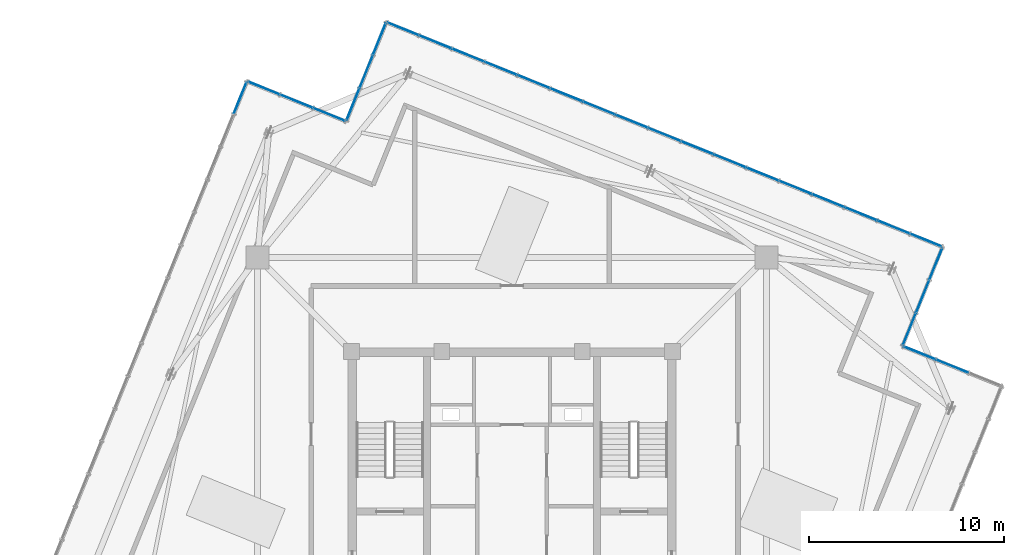
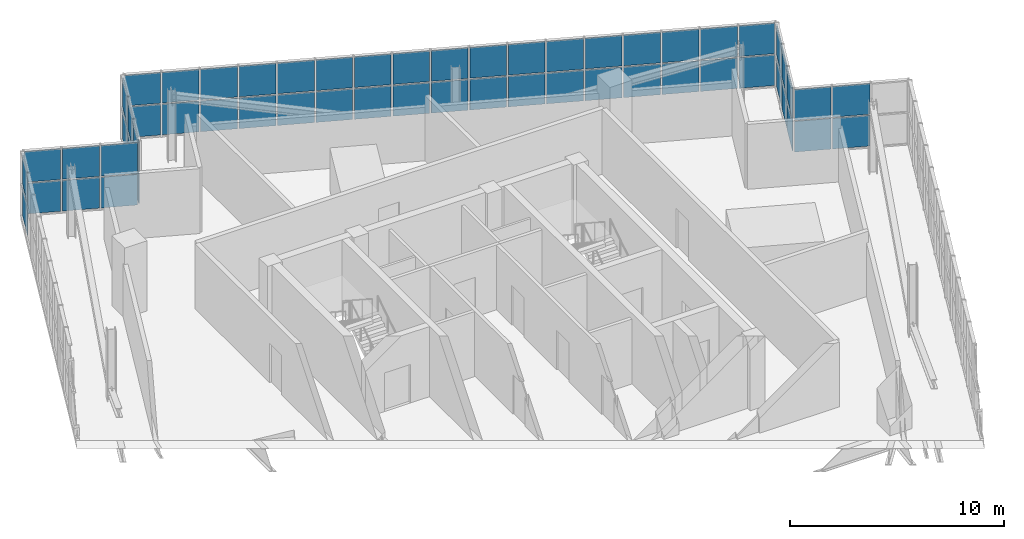
# One storey, part 20 of 26: 58 plates, 6 elements without a shape of their own.
"""IFC4 building model written with IfcOpenShell, lengths in metres."""

from ifc_helpers import new_model, si_unit, direction, frame, origin, origin_2d, place, context, subcontext, project, spatial, rectangle, extrude, source, transform, mapped, material, layer, layer_set, type_object, element, aggregate, save


model = new_model("IFC4")

# Units and contexts
model_context = context("Model", 3, precision=1e-05, world=origin(), true_north=direction((0.0, 1.0)))
body_context = subcontext(model_context, "Body", "Model", "MODEL_VIEW")
ifc_project = project(units=[si_unit("LENGTHUNIT", "METRE"), si_unit("AREAUNIT", "SQUARE_METRE"), si_unit("VOLUMEUNIT", "CUBIC_METRE"), si_unit("PLANEANGLEUNIT", "RADIAN"), si_unit("MASSUNIT", "GRAM", prefix="KILO"), si_unit("THERMODYNAMICTEMPERATUREUNIT", "KELVIN")], contexts=[model_context])

# Site, building, storey
site_placement = place(None, origin())
site = spatial("IfcSite", under=ifc_project, at=site_placement, CompositionType="ELEMENT")
building_placement = place(site_placement, origin())
building = spatial("IfcBuilding", under=site, at=building_placement, Name="Kosmvard Interchange Tower", CompositionType="ELEMENT")
storey_placement = place(building_placement, frame((0.0, 0.0, 333.60009765625)))
storey = spatial("IfcBuildingStorey", under=building, at=storey_placement, Name="L82", CompositionType="ELEMENT", Elevation=333.60009765625)

# Curtain wall, plates
ifc_material_1 = material(Name="Architectural anodised aluminium", Category="aluminium")
ifc_layer_1 = layer(ifc_material_1, 0.25, Name="Architectural anodised aluminium")
ifc_layer_set_1 = layer_set([ifc_layer_1], Name="Architectural anodised aluminium")
curtain_wall_type = type_object("IfcCurtainWallType", Name="CW-6 Illuminated Crown Lantern Curtain Wall", PredefinedType="NOTDEFINED", material=ifc_layer_set_1)
curtain_wall_1_placement = place(storey_placement, origin())
curtain_wall_1 = element("IfcCurtainWall", 1, at=curtain_wall_1_placement, inside=storey, type_object=curtain_wall_type, Name="L82 Crown Lantern Glazing Face 04", PredefinedType="NOTDEFINED")
ifc_material_2 = material(Name="Laminated acoustic lantern glazing", Category="glass")
ifc_layer_2 = layer(ifc_material_2, 0.035888671875, Name="Laminated acoustic lantern glazing")
ifc_layer_set_2 = layer_set([ifc_layer_2], Name="Laminated acoustic lantern glazing")
plate_type = type_object("IfcPlateType", Name="Lantern Diffused Illuminated Panel 36", PredefinedType="CURTAIN_PANEL", material=ifc_layer_set_2)
shared_shape_1 = source(origin(), body_context, "Body", "SweptSolid", [
    extrude(rectangle(XDim=1.694091796875, YDim=0.035888671875, at=origin_2d()), origin(), (0.0, 0.0, 1.0), 1.7451171875),
])
plate_1_placement = place(storey_placement, frame((21.2744140625, 13.967529296875, 0.06982421875), z_axis=(0.0, 0.0, 1.0), x_axis=(-0.927183858065, 0.374606584758, 0.0)))
plate_1 = element("IfcPlate", 2, at=plate_1_placement, type_object=plate_type, Name="CW-6 panel 1.1", PredefinedType="CURTAIN_PANEL", context=body_context, shape_type="MappedRepresentation", body=[
    mapped(shared_shape_1, transform((0.0, 0.0, 0.0), scale=1.0)),
])
plate_2_placement = place(storey_placement, frame((21.2744140625, 13.967529296875, 1.884765625), z_axis=(0.0, 0.0, 1.0), x_axis=(-0.927183858065, 0.374606584758, 0.0)))
plate_2 = element("IfcPlate", 3, at=plate_2_placement, type_object=plate_type, Name="CW-6 panel 1.2", PredefinedType="CURTAIN_PANEL", context=body_context, shape_type="MappedRepresentation", body=[
    mapped(shared_shape_1, transform((0.0, 0.0, 0.0), scale=1.0)),
])
plate_3_placement = place(storey_placement, frame((-5.600830078125, 24.825927734375, 0.06982421875), z_axis=(0.0, 0.0, 1.0), x_axis=(-0.927183858065, 0.374606584758, 0.0)))
plate_3 = element("IfcPlate", 4, at=plate_3_placement, type_object=plate_type, Name="CW-6 panel 17.1", PredefinedType="CURTAIN_PANEL", context=body_context, shape_type="MappedRepresentation", body=[
    mapped(shared_shape_1, transform((0.0, 0.0, 0.0), scale=1.0)),
])
plate_4_placement = place(storey_placement, frame((-5.600830078125, 24.825927734375, 1.884765625), z_axis=(0.0, 0.0, 1.0), x_axis=(-0.927183858065, 0.374606584758, 0.0)))
plate_4 = element("IfcPlate", 5, at=plate_4_placement, type_object=plate_type, Name="CW-6 panel 17.2", PredefinedType="CURTAIN_PANEL", context=body_context, shape_type="MappedRepresentation", body=[
    mapped(shared_shape_1, transform((0.0, 0.0, 0.0), scale=1.0)),
])

curtain_wall_2_placement = place(storey_placement, origin())
curtain_wall_2 = element("IfcCurtainWall", 6, at=curtain_wall_2_placement, inside=storey, type_object=curtain_wall_type, Name="L82 Crown Lantern Glazing Face 07", PredefinedType="NOTDEFINED")
plate_5_placement = place(storey_placement, frame((-13.967529296875, 21.2744140625, 0.06982421875), z_axis=(0.0, 0.0, 1.0), x_axis=(-0.374606584758, -0.927183858065, 0.0)))
plate_5 = element("IfcPlate", 7, at=plate_5_placement, type_object=plate_type, Name="CW-6 panel 1.1", PredefinedType="CURTAIN_PANEL", context=body_context, shape_type="MappedRepresentation", body=[
    mapped(shared_shape_1, transform((0.0, 0.0, 0.0), scale=1.0)),
])
plate_6_placement = place(storey_placement, frame((-13.967529296875, 21.2744140625, 1.884765625), z_axis=(0.0, 0.0, 1.0), x_axis=(-0.374606584758, -0.927183858065, 0.0)))
plate_6 = element("IfcPlate", 8, at=plate_6_placement, type_object=plate_type, Name="CW-6 panel 1.2", PredefinedType="CURTAIN_PANEL", context=body_context, shape_type="MappedRepresentation", body=[
    mapped(shared_shape_1, transform((0.0, 0.0, 0.0), scale=1.0)),
])
aggregate(curtain_wall_2, [plate_5, plate_6])

# Plate
shared_shape_2 = source(origin(), body_context, "Body", "SweptSolid", [
    extrude(rectangle(XDim=1.734130859375, YDim=0.035888671875, at=origin_2d()), origin(), (0.0, 0.0, 1.0), 1.7451171875),
])
plate_7_placement = place(storey_placement, frame((19.61083984375, 14.6396484375, 0.06982421875), z_axis=(0.0, 0.0, 1.0), x_axis=(-0.927183858065, 0.374606584758, 0.0)))
plate_7 = element("IfcPlate", 9, at=plate_7_placement, type_object=plate_type, Name="CW-6 panel 2.1", PredefinedType="CURTAIN_PANEL", context=body_context, shape_type="MappedRepresentation", body=[
    mapped(shared_shape_2, transform((0.0, 0.0, 0.0), scale=1.0)),
])

plate_8_placement = place(storey_placement, frame((19.61083984375, 14.6396484375, 1.884765625), z_axis=(0.0, 0.0, 1.0), x_axis=(-0.927183858065, 0.374606584758, 0.0)))
plate_8 = element("IfcPlate", 10, at=plate_8_placement, type_object=plate_type, Name="CW-6 panel 2.2", PredefinedType="CURTAIN_PANEL", context=body_context, shape_type="MappedRepresentation", body=[
    mapped(shared_shape_2, transform((0.0, 0.0, 0.0), scale=1.0)),
])

plate_9_placement = place(storey_placement, frame((17.928955078125, 15.319091796875, 0.06982421875), z_axis=(0.0, 0.0, 1.0), x_axis=(-0.927183858065, 0.374606584758, 0.0)))
plate_9 = element("IfcPlate", 11, at=plate_9_placement, type_object=plate_type, Name="CW-6 panel 3.1", PredefinedType="CURTAIN_PANEL", context=body_context, shape_type="MappedRepresentation", body=[
    mapped(shared_shape_2, transform((0.0, 0.0, 0.0), scale=1.0)),
])

plate_10_placement = place(storey_placement, frame((17.928955078125, 15.319091796875, 1.884765625), z_axis=(0.0, 0.0, 1.0), x_axis=(-0.927183858065, 0.374606584758, 0.0)))
plate_10 = element("IfcPlate", 12, at=plate_10_placement, type_object=plate_type, Name="CW-6 panel 3.2", PredefinedType="CURTAIN_PANEL", context=body_context, shape_type="MappedRepresentation", body=[
    mapped(shared_shape_2, transform((0.0, 0.0, 0.0), scale=1.0)),
])

plate_11_placement = place(storey_placement, frame((16.246826171875, 15.998779296875, 0.06982421875), z_axis=(0.0, 0.0, 1.0), x_axis=(-0.927183858065, 0.374606584758, 0.0)))
plate_11 = element("IfcPlate", 13, at=plate_11_placement, type_object=plate_type, Name="CW-6 panel 4.1", PredefinedType="CURTAIN_PANEL", context=body_context, shape_type="MappedRepresentation", body=[
    mapped(shared_shape_2, transform((0.0, 0.0, 0.0), scale=1.0)),
])

plate_12_placement = place(storey_placement, frame((16.246826171875, 15.998779296875, 1.884765625), z_axis=(0.0, 0.0, 1.0), x_axis=(-0.927183858065, 0.374606584758, 0.0)))
plate_12 = element("IfcPlate", 14, at=plate_12_placement, type_object=plate_type, Name="CW-6 panel 4.2", PredefinedType="CURTAIN_PANEL", context=body_context, shape_type="MappedRepresentation", body=[
    mapped(shared_shape_2, transform((0.0, 0.0, 0.0), scale=1.0)),
])

plate_13_placement = place(storey_placement, frame((14.56494140625, 16.678466796875, 0.06982421875), z_axis=(0.0, 0.0, 1.0), x_axis=(-0.927183858065, 0.374606584758, 0.0)))
plate_13 = element("IfcPlate", 15, at=plate_13_placement, type_object=plate_type, Name="CW-6 panel 5.1", PredefinedType="CURTAIN_PANEL", context=body_context, shape_type="MappedRepresentation", body=[
    mapped(shared_shape_2, transform((0.0, 0.0, 0.0), scale=1.0)),
])

plate_14_placement = place(storey_placement, frame((14.56494140625, 16.678466796875, 1.884765625), z_axis=(0.0, 0.0, 1.0), x_axis=(-0.927183858065, 0.374606584758, 0.0)))
plate_14 = element("IfcPlate", 16, at=plate_14_placement, type_object=plate_type, Name="CW-6 panel 5.2", PredefinedType="CURTAIN_PANEL", context=body_context, shape_type="MappedRepresentation", body=[
    mapped(shared_shape_2, transform((0.0, 0.0, 0.0), scale=1.0)),
])

plate_15_placement = place(storey_placement, frame((12.8828125, 17.35791015625, 0.06982421875), z_axis=(0.0, 0.0, 1.0), x_axis=(-0.927183858065, 0.374606584758, 0.0)))
plate_15 = element("IfcPlate", 17, at=plate_15_placement, type_object=plate_type, Name="CW-6 panel 6.1", PredefinedType="CURTAIN_PANEL", context=body_context, shape_type="MappedRepresentation", body=[
    mapped(shared_shape_2, transform((0.0, 0.0, 0.0), scale=1.0)),
])

plate_16_placement = place(storey_placement, frame((12.8828125, 17.35791015625, 1.884765625), z_axis=(0.0, 0.0, 1.0), x_axis=(-0.927183858065, 0.374606584758, 0.0)))
plate_16 = element("IfcPlate", 18, at=plate_16_placement, type_object=plate_type, Name="CW-6 panel 6.2", PredefinedType="CURTAIN_PANEL", context=body_context, shape_type="MappedRepresentation", body=[
    mapped(shared_shape_2, transform((0.0, 0.0, 0.0), scale=1.0)),
])

plate_17_placement = place(storey_placement, frame((11.200927734375, 18.03759765625, 0.06982421875), z_axis=(0.0, 0.0, 1.0), x_axis=(-0.927183858065, 0.374606584758, 0.0)))
plate_17 = element("IfcPlate", 19, at=plate_17_placement, type_object=plate_type, Name="CW-6 panel 7.1", PredefinedType="CURTAIN_PANEL", context=body_context, shape_type="MappedRepresentation", body=[
    mapped(shared_shape_2, transform((0.0, 0.0, 0.0), scale=1.0)),
])

plate_18_placement = place(storey_placement, frame((11.200927734375, 18.03759765625, 1.884765625), z_axis=(0.0, 0.0, 1.0), x_axis=(-0.927183858065, 0.374606584758, 0.0)))
plate_18 = element("IfcPlate", 20, at=plate_18_placement, type_object=plate_type, Name="CW-6 panel 7.2", PredefinedType="CURTAIN_PANEL", context=body_context, shape_type="MappedRepresentation", body=[
    mapped(shared_shape_2, transform((0.0, 0.0, 0.0), scale=1.0)),
])

plate_19_placement = place(storey_placement, frame((9.518798828125, 18.717041015625, 0.06982421875), z_axis=(0.0, 0.0, 1.0), x_axis=(-0.927183858065, 0.374606584758, 0.0)))
plate_19 = element("IfcPlate", 21, at=plate_19_placement, type_object=plate_type, Name="CW-6 panel 8.1", PredefinedType="CURTAIN_PANEL", context=body_context, shape_type="MappedRepresentation", body=[
    mapped(shared_shape_2, transform((0.0, 0.0, 0.0), scale=1.0)),
])

plate_20_placement = place(storey_placement, frame((9.518798828125, 18.717041015625, 1.884765625), z_axis=(0.0, 0.0, 1.0), x_axis=(-0.927183858065, 0.374606584758, 0.0)))
plate_20 = element("IfcPlate", 22, at=plate_20_placement, type_object=plate_type, Name="CW-6 panel 8.2", PredefinedType="CURTAIN_PANEL", context=body_context, shape_type="MappedRepresentation", body=[
    mapped(shared_shape_2, transform((0.0, 0.0, 0.0), scale=1.0)),
])

plate_21_placement = place(storey_placement, frame((7.836669921875, 19.396728515625, 0.06982421875), z_axis=(0.0, 0.0, 1.0), x_axis=(-0.927183858065, 0.374606584758, 0.0)))
plate_21 = element("IfcPlate", 23, at=plate_21_placement, type_object=plate_type, Name="CW-6 panel 9.1", PredefinedType="CURTAIN_PANEL", context=body_context, shape_type="MappedRepresentation", body=[
    mapped(shared_shape_2, transform((0.0, 0.0, 0.0), scale=1.0)),
])

plate_22_placement = place(storey_placement, frame((7.836669921875, 19.396728515625, 1.884765625), z_axis=(0.0, 0.0, 1.0), x_axis=(-0.927183858065, 0.374606584758, 0.0)))
plate_22 = element("IfcPlate", 24, at=plate_22_placement, type_object=plate_type, Name="CW-6 panel 9.2", PredefinedType="CURTAIN_PANEL", context=body_context, shape_type="MappedRepresentation", body=[
    mapped(shared_shape_2, transform((0.0, 0.0, 0.0), scale=1.0)),
])

plate_23_placement = place(storey_placement, frame((6.15478515625, 20.076171875, 0.06982421875), z_axis=(0.0, 0.0, 1.0), x_axis=(-0.927183858065, 0.374606584758, 0.0)))
plate_23 = element("IfcPlate", 25, at=plate_23_placement, type_object=plate_type, Name="CW-6 panel 10.1", PredefinedType="CURTAIN_PANEL", context=body_context, shape_type="MappedRepresentation", body=[
    mapped(shared_shape_2, transform((0.0, 0.0, 0.0), scale=1.0)),
])

plate_24_placement = place(storey_placement, frame((6.15478515625, 20.076171875, 1.884765625), z_axis=(0.0, 0.0, 1.0), x_axis=(-0.927183858065, 0.374606584758, 0.0)))
plate_24 = element("IfcPlate", 26, at=plate_24_placement, type_object=plate_type, Name="CW-6 panel 10.2", PredefinedType="CURTAIN_PANEL", context=body_context, shape_type="MappedRepresentation", body=[
    mapped(shared_shape_2, transform((0.0, 0.0, 0.0), scale=1.0)),
])

plate_25_placement = place(storey_placement, frame((4.47265625, 20.755859375, 0.06982421875), z_axis=(0.0, 0.0, 1.0), x_axis=(-0.927183858065, 0.374606584758, 0.0)))
plate_25 = element("IfcPlate", 27, at=plate_25_placement, type_object=plate_type, Name="CW-6 panel 11.1", PredefinedType="CURTAIN_PANEL", context=body_context, shape_type="MappedRepresentation", body=[
    mapped(shared_shape_2, transform((0.0, 0.0, 0.0), scale=1.0)),
])

plate_26_placement = place(storey_placement, frame((4.47265625, 20.755859375, 1.884765625), z_axis=(0.0, 0.0, 1.0), x_axis=(-0.927183858065, 0.374606584758, 0.0)))
plate_26 = element("IfcPlate", 28, at=plate_26_placement, type_object=plate_type, Name="CW-6 panel 11.2", PredefinedType="CURTAIN_PANEL", context=body_context, shape_type="MappedRepresentation", body=[
    mapped(shared_shape_2, transform((0.0, 0.0, 0.0), scale=1.0)),
])

plate_27_placement = place(storey_placement, frame((2.790771484375, 21.435546875, 0.06982421875), z_axis=(0.0, 0.0, 1.0), x_axis=(-0.927183858065, 0.374606584758, 0.0)))
plate_27 = element("IfcPlate", 29, at=plate_27_placement, type_object=plate_type, Name="CW-6 panel 12.1", PredefinedType="CURTAIN_PANEL", context=body_context, shape_type="MappedRepresentation", body=[
    mapped(shared_shape_2, transform((0.0, 0.0, 0.0), scale=1.0)),
])

plate_28_placement = place(storey_placement, frame((2.790771484375, 21.435546875, 1.884765625), z_axis=(0.0, 0.0, 1.0), x_axis=(-0.927183858065, 0.374606584758, 0.0)))
plate_28 = element("IfcPlate", 30, at=plate_28_placement, type_object=plate_type, Name="CW-6 panel 12.2", PredefinedType="CURTAIN_PANEL", context=body_context, shape_type="MappedRepresentation", body=[
    mapped(shared_shape_2, transform((0.0, 0.0, 0.0), scale=1.0)),
])

plate_29_placement = place(storey_placement, frame((1.108642578125, 22.114990234375, 0.06982421875), z_axis=(0.0, 0.0, 1.0), x_axis=(-0.927183858065, 0.374606584758, 0.0)))
plate_29 = element("IfcPlate", 31, at=plate_29_placement, type_object=plate_type, Name="CW-6 panel 13.1", PredefinedType="CURTAIN_PANEL", context=body_context, shape_type="MappedRepresentation", body=[
    mapped(shared_shape_2, transform((0.0, 0.0, 0.0), scale=1.0)),
])

plate_30_placement = place(storey_placement, frame((1.108642578125, 22.114990234375, 1.884765625), z_axis=(0.0, 0.0, 1.0), x_axis=(-0.927183858065, 0.374606584758, 0.0)))
plate_30 = element("IfcPlate", 32, at=plate_30_placement, type_object=plate_type, Name="CW-6 panel 13.2", PredefinedType="CURTAIN_PANEL", context=body_context, shape_type="MappedRepresentation", body=[
    mapped(shared_shape_2, transform((0.0, 0.0, 0.0), scale=1.0)),
])

plate_31_placement = place(storey_placement, frame((-0.5732421875, 22.794677734375, 0.06982421875), z_axis=(0.0, 0.0, 1.0), x_axis=(-0.927183858065, 0.374606584758, 0.0)))
plate_31 = element("IfcPlate", 33, at=plate_31_placement, type_object=plate_type, Name="CW-6 panel 14.1", PredefinedType="CURTAIN_PANEL", context=body_context, shape_type="MappedRepresentation", body=[
    mapped(shared_shape_2, transform((0.0, 0.0, 0.0), scale=1.0)),
])

plate_32_placement = place(storey_placement, frame((-0.5732421875, 22.794677734375, 1.884765625), z_axis=(0.0, 0.0, 1.0), x_axis=(-0.927183858065, 0.374606584758, 0.0)))
plate_32 = element("IfcPlate", 34, at=plate_32_placement, type_object=plate_type, Name="CW-6 panel 14.2", PredefinedType="CURTAIN_PANEL", context=body_context, shape_type="MappedRepresentation", body=[
    mapped(shared_shape_2, transform((0.0, 0.0, 0.0), scale=1.0)),
])

plate_33_placement = place(storey_placement, frame((-2.25537109375, 23.47412109375, 0.06982421875), z_axis=(0.0, 0.0, 1.0), x_axis=(-0.927183858065, 0.374606584758, 0.0)))
plate_33 = element("IfcPlate", 35, at=plate_33_placement, type_object=plate_type, Name="CW-6 panel 15.1", PredefinedType="CURTAIN_PANEL", context=body_context, shape_type="MappedRepresentation", body=[
    mapped(shared_shape_2, transform((0.0, 0.0, 0.0), scale=1.0)),
])

plate_34_placement = place(storey_placement, frame((-2.25537109375, 23.47412109375, 1.884765625), z_axis=(0.0, 0.0, 1.0), x_axis=(-0.927183858065, 0.374606584758, 0.0)))
plate_34 = element("IfcPlate", 36, at=plate_34_placement, type_object=plate_type, Name="CW-6 panel 15.2", PredefinedType="CURTAIN_PANEL", context=body_context, shape_type="MappedRepresentation", body=[
    mapped(shared_shape_2, transform((0.0, 0.0, 0.0), scale=1.0)),
])

plate_35_placement = place(storey_placement, frame((-3.937255859375, 24.15380859375, 0.06982421875), z_axis=(0.0, 0.0, 1.0), x_axis=(-0.927183858065, 0.374606584758, 0.0)))
plate_35 = element("IfcPlate", 37, at=plate_35_placement, type_object=plate_type, Name="CW-6 panel 16.1", PredefinedType="CURTAIN_PANEL", context=body_context, shape_type="MappedRepresentation", body=[
    mapped(shared_shape_2, transform((0.0, 0.0, 0.0), scale=1.0)),
])

plate_36_placement = place(storey_placement, frame((-3.937255859375, 24.15380859375, 1.884765625), z_axis=(0.0, 0.0, 1.0), x_axis=(-0.927183858065, 0.374606584758, 0.0)))
plate_36 = element("IfcPlate", 38, at=plate_36_placement, type_object=plate_type, Name="CW-6 panel 16.2", PredefinedType="CURTAIN_PANEL", context=body_context, shape_type="MappedRepresentation", body=[
    mapped(shared_shape_2, transform((0.0, 0.0, 0.0), scale=1.0)),
])

aggregate(curtain_wall_1, [plate_1, plate_2, plate_7, plate_8, plate_9, plate_10, plate_11, plate_12, plate_13, plate_14, plate_15, plate_16, plate_17, plate_18, plate_19, plate_20, plate_21, plate_22, plate_23, plate_24, plate_25, plate_26, plate_27, plate_28, plate_29, plate_30, plate_31, plate_32, plate_33, plate_34, plate_35, plate_36, plate_3, plate_4])

# Curtain wall, plates
curtain_wall_3_placement = place(storey_placement, origin())
curtain_wall_3 = element("IfcCurtainWall", 39, at=curtain_wall_3_placement, inside=storey, type_object=curtain_wall_type, Name="L82 Crown Lantern Glazing Face 02", PredefinedType="NOTDEFINED")
shared_shape_3 = source(origin(), body_context, "Body", "SweptSolid", [
    extrude(rectangle(XDim=1.71337890625, YDim=0.035888671875, at=origin_2d()), origin(), (0.0, 0.0, 1.0), 1.7451171875),
])
plate_37_placement = place(storey_placement, frame((20.942138671875, 8.169921875, 0.06982421875), z_axis=(0.0, 0.0, 1.0), x_axis=(-0.92718386612, 0.374606564822, 0.0)))
plate_37 = element("IfcPlate", 40, at=plate_37_placement, type_object=plate_type, Name="CW-6 panel 3.1", PredefinedType="CURTAIN_PANEL", context=body_context, shape_type="MappedRepresentation", body=[
    mapped(shared_shape_3, transform((0.0, 0.0, 0.0), scale=1.0)),
])
plate_38_placement = place(storey_placement, frame((20.942138671875, 8.169921875, 1.884765625), z_axis=(0.0, 0.0, 1.0), x_axis=(-0.92718386612, 0.374606564822, 0.0)))
plate_38 = element("IfcPlate", 41, at=plate_38_placement, type_object=plate_type, Name="CW-6 panel 3.2", PredefinedType="CURTAIN_PANEL", context=body_context, shape_type="MappedRepresentation", body=[
    mapped(shared_shape_3, transform((0.0, 0.0, 0.0), scale=1.0)),
])

curtain_wall_4_placement = place(storey_placement, origin())
curtain_wall_4 = element("IfcCurtainWall", 42, at=curtain_wall_4_placement, inside=storey, type_object=curtain_wall_type, Name="L82 Crown Lantern Glazing Face 03", PredefinedType="NOTDEFINED")
plate_39_placement = place(storey_placement, frame((20.424560546875, 9.38916015625, 0.06982421875), z_axis=(0.0, 0.0, 1.0), x_axis=(0.374606501678, 0.927183891631, 0.0)))
plate_39 = element("IfcPlate", 43, at=plate_39_placement, type_object=plate_type, Name="CW-6 panel 1.1", PredefinedType="CURTAIN_PANEL", context=body_context, shape_type="MappedRepresentation", body=[
    mapped(shared_shape_3, transform((0.0, 0.0, 0.0), scale=1.0)),
])
plate_40_placement = place(storey_placement, frame((20.424560546875, 9.38916015625, 1.884765625), z_axis=(0.0, 0.0, 1.0), x_axis=(0.374606501678, 0.927183891631, 0.0)))
plate_40 = element("IfcPlate", 44, at=plate_40_placement, type_object=plate_type, Name="CW-6 panel 1.2", PredefinedType="CURTAIN_PANEL", context=body_context, shape_type="MappedRepresentation", body=[
    mapped(shared_shape_3, transform((0.0, 0.0, 0.0), scale=1.0)),
])
plate_41_placement = place(storey_placement, frame((21.782958984375, 12.751708984375, 0.06982421875), z_axis=(0.0, 0.0, 1.0), x_axis=(0.374606501678, 0.927183891631, 0.0)))
plate_41 = element("IfcPlate", 45, at=plate_41_placement, type_object=plate_type, Name="CW-6 panel 3.1", PredefinedType="CURTAIN_PANEL", context=body_context, shape_type="MappedRepresentation", body=[
    mapped(shared_shape_3, transform((0.0, 0.0, 0.0), scale=1.0)),
])
plate_42_placement = place(storey_placement, frame((21.782958984375, 12.751708984375, 1.884765625), z_axis=(0.0, 0.0, 1.0), x_axis=(0.374606501678, 0.927183891631, 0.0)))
plate_42 = element("IfcPlate", 46, at=plate_42_placement, type_object=plate_type, Name="CW-6 panel 3.2", PredefinedType="CURTAIN_PANEL", context=body_context, shape_type="MappedRepresentation", body=[
    mapped(shared_shape_3, transform((0.0, 0.0, 0.0), scale=1.0)),
])

curtain_wall_5_placement = place(storey_placement, origin())
curtain_wall_5 = element("IfcCurtainWall", 47, at=curtain_wall_5_placement, inside=storey, type_object=curtain_wall_type, Name="L82 Crown Lantern Glazing Face 05", PredefinedType="NOTDEFINED")
plate_43_placement = place(storey_placement, frame((-6.811279296875, 24.3046875, 0.06982421875), z_axis=(0.0, 0.0, 1.0), x_axis=(-0.374606564822, -0.92718386612, 0.0)))
plate_43 = element("IfcPlate", 48, at=plate_43_placement, type_object=plate_type, Name="CW-6 panel 1.1", PredefinedType="CURTAIN_PANEL", context=body_context, shape_type="MappedRepresentation", body=[
    mapped(shared_shape_3, transform((0.0, 0.0, 0.0), scale=1.0)),
])
plate_44_placement = place(storey_placement, frame((-6.811279296875, 24.3046875, 1.884765625), z_axis=(0.0, 0.0, 1.0), x_axis=(-0.374606564822, -0.92718386612, 0.0)))
plate_44 = element("IfcPlate", 49, at=plate_44_placement, type_object=plate_type, Name="CW-6 panel 1.2", PredefinedType="CURTAIN_PANEL", context=body_context, shape_type="MappedRepresentation", body=[
    mapped(shared_shape_3, transform((0.0, 0.0, 0.0), scale=1.0)),
])
plate_45_placement = place(storey_placement, frame((-8.169921875, 20.942138671875, 0.06982421875), z_axis=(0.0, 0.0, 1.0), x_axis=(-0.374606564822, -0.92718386612, 0.0)))
plate_45 = element("IfcPlate", 50, at=plate_45_placement, type_object=plate_type, Name="CW-6 panel 3.1", PredefinedType="CURTAIN_PANEL", context=body_context, shape_type="MappedRepresentation", body=[
    mapped(shared_shape_3, transform((0.0, 0.0, 0.0), scale=1.0)),
])
plate_46_placement = place(storey_placement, frame((-8.169921875, 20.942138671875, 1.884765625), z_axis=(0.0, 0.0, 1.0), x_axis=(-0.374606564822, -0.92718386612, 0.0)))
plate_46 = element("IfcPlate", 51, at=plate_46_placement, type_object=plate_type, Name="CW-6 panel 3.2", PredefinedType="CURTAIN_PANEL", context=body_context, shape_type="MappedRepresentation", body=[
    mapped(shared_shape_3, transform((0.0, 0.0, 0.0), scale=1.0)),
])

curtain_wall_6_placement = place(storey_placement, origin())
curtain_wall_6 = element("IfcCurtainWall", 52, at=curtain_wall_6_placement, inside=storey, type_object=curtain_wall_type, Name="L82 Crown Lantern Glazing Face 06", PredefinedType="NOTDEFINED")
plate_47_placement = place(storey_placement, frame((-9.38916015625, 20.424560546875, 0.06982421875), z_axis=(0.0, 0.0, 1.0), x_axis=(-0.927183891631, 0.374606501678, 0.0)))
plate_47 = element("IfcPlate", 53, at=plate_47_placement, type_object=plate_type, Name="CW-6 panel 1.1", PredefinedType="CURTAIN_PANEL", context=body_context, shape_type="MappedRepresentation", body=[
    mapped(shared_shape_3, transform((0.0, 0.0, 0.0), scale=1.0)),
])
plate_48_placement = place(storey_placement, frame((-9.38916015625, 20.424560546875, 1.884765625), z_axis=(0.0, 0.0, 1.0), x_axis=(-0.927183891631, 0.374606501678, 0.0)))
plate_48 = element("IfcPlate", 54, at=plate_48_placement, type_object=plate_type, Name="CW-6 panel 1.2", PredefinedType="CURTAIN_PANEL", context=body_context, shape_type="MappedRepresentation", body=[
    mapped(shared_shape_3, transform((0.0, 0.0, 0.0), scale=1.0)),
])
plate_49_placement = place(storey_placement, frame((-12.751708984375, 21.782958984375, 0.06982421875), z_axis=(0.0, 0.0, 1.0), x_axis=(-0.927183891631, 0.374606501678, 0.0)))
plate_49 = element("IfcPlate", 55, at=plate_49_placement, type_object=plate_type, Name="CW-6 panel 3.1", PredefinedType="CURTAIN_PANEL", context=body_context, shape_type="MappedRepresentation", body=[
    mapped(shared_shape_3, transform((0.0, 0.0, 0.0), scale=1.0)),
])
plate_50_placement = place(storey_placement, frame((-12.751708984375, 21.782958984375, 1.884765625), z_axis=(0.0, 0.0, 1.0), x_axis=(-0.927183891631, 0.374606501678, 0.0)))
plate_50 = element("IfcPlate", 56, at=plate_50_placement, type_object=plate_type, Name="CW-6 panel 3.2", PredefinedType="CURTAIN_PANEL", context=body_context, shape_type="MappedRepresentation", body=[
    mapped(shared_shape_3, transform((0.0, 0.0, 0.0), scale=1.0)),
])

# Plate
shared_shape_4 = source(origin(), body_context, "Body", "SweptSolid", [
    extrude(rectangle(XDim=1.75341796875, YDim=0.035888671875, at=origin_2d()), origin(), (0.0, 0.0, 1.0), 1.7451171875),
])
plate_51_placement = place(storey_placement, frame((22.623291015625, 7.490478515625, 0.06982421875), z_axis=(0.0, 0.0, 1.0), x_axis=(-0.92718386612, 0.374606564822, 0.0)))
plate_51 = element("IfcPlate", 57, at=plate_51_placement, type_object=plate_type, Name="CW-6 panel 2.1", PredefinedType="CURTAIN_PANEL", context=body_context, shape_type="MappedRepresentation", body=[
    mapped(shared_shape_4, transform((0.0, 0.0, 0.0), scale=1.0)),
])

plate_52_placement = place(storey_placement, frame((22.623291015625, 7.490478515625, 1.884765625), z_axis=(0.0, 0.0, 1.0), x_axis=(-0.92718386612, 0.374606564822, 0.0)))
plate_52 = element("IfcPlate", 58, at=plate_52_placement, type_object=plate_type, Name="CW-6 panel 2.2", PredefinedType="CURTAIN_PANEL", context=body_context, shape_type="MappedRepresentation", body=[
    mapped(shared_shape_4, transform((0.0, 0.0, 0.0), scale=1.0)),
])

aggregate(curtain_wall_3, [plate_51, plate_52, plate_37, plate_38])

plate_53_placement = place(storey_placement, frame((21.103759765625, 11.070556640625, 0.06982421875), z_axis=(0.0, 0.0, 1.0), x_axis=(0.374606501678, 0.927183891631, 0.0)))
plate_53 = element("IfcPlate", 59, at=plate_53_placement, type_object=plate_type, Name="CW-6 panel 2.1", PredefinedType="CURTAIN_PANEL", context=body_context, shape_type="MappedRepresentation", body=[
    mapped(shared_shape_4, transform((0.0, 0.0, 0.0), scale=1.0)),
])

plate_54_placement = place(storey_placement, frame((21.103759765625, 11.070556640625, 1.884765625), z_axis=(0.0, 0.0, 1.0), x_axis=(0.374606501678, 0.927183891631, 0.0)))
plate_54 = element("IfcPlate", 60, at=plate_54_placement, type_object=plate_type, Name="CW-6 panel 2.2", PredefinedType="CURTAIN_PANEL", context=body_context, shape_type="MappedRepresentation", body=[
    mapped(shared_shape_4, transform((0.0, 0.0, 0.0), scale=1.0)),
])

aggregate(curtain_wall_4, [plate_39, plate_40, plate_53, plate_54, plate_41, plate_42])

plate_55_placement = place(storey_placement, frame((-7.490478515625, 22.623291015625, 0.06982421875), z_axis=(0.0, 0.0, 1.0), x_axis=(-0.374606564822, -0.92718386612, 0.0)))
plate_55 = element("IfcPlate", 61, at=plate_55_placement, type_object=plate_type, Name="CW-6 panel 2.1", PredefinedType="CURTAIN_PANEL", context=body_context, shape_type="MappedRepresentation", body=[
    mapped(shared_shape_4, transform((0.0, 0.0, 0.0), scale=1.0)),
])

plate_56_placement = place(storey_placement, frame((-7.490478515625, 22.623291015625, 1.884765625), z_axis=(0.0, 0.0, 1.0), x_axis=(-0.374606564822, -0.92718386612, 0.0)))
plate_56 = element("IfcPlate", 62, at=plate_56_placement, type_object=plate_type, Name="CW-6 panel 2.2", PredefinedType="CURTAIN_PANEL", context=body_context, shape_type="MappedRepresentation", body=[
    mapped(shared_shape_4, transform((0.0, 0.0, 0.0), scale=1.0)),
])

aggregate(curtain_wall_5, [plate_43, plate_44, plate_55, plate_56, plate_45, plate_46])

plate_57_placement = place(storey_placement, frame((-11.070556640625, 21.103759765625, 0.06982421875), z_axis=(0.0, 0.0, 1.0), x_axis=(-0.927183891631, 0.374606501678, 0.0)))
plate_57 = element("IfcPlate", 63, at=plate_57_placement, type_object=plate_type, Name="CW-6 panel 2.1", PredefinedType="CURTAIN_PANEL", context=body_context, shape_type="MappedRepresentation", body=[
    mapped(shared_shape_4, transform((0.0, 0.0, 0.0), scale=1.0)),
])

plate_58_placement = place(storey_placement, frame((-11.070556640625, 21.103759765625, 1.884765625), z_axis=(0.0, 0.0, 1.0), x_axis=(-0.927183891631, 0.374606501678, 0.0)))
plate_58 = element("IfcPlate", 64, at=plate_58_placement, type_object=plate_type, Name="CW-6 panel 2.2", PredefinedType="CURTAIN_PANEL", context=body_context, shape_type="MappedRepresentation", body=[
    mapped(shared_shape_4, transform((0.0, 0.0, 0.0), scale=1.0)),
])

aggregate(curtain_wall_6, [plate_47, plate_48, plate_57, plate_58, plate_49, plate_50])

save(model, "model.ifc")
